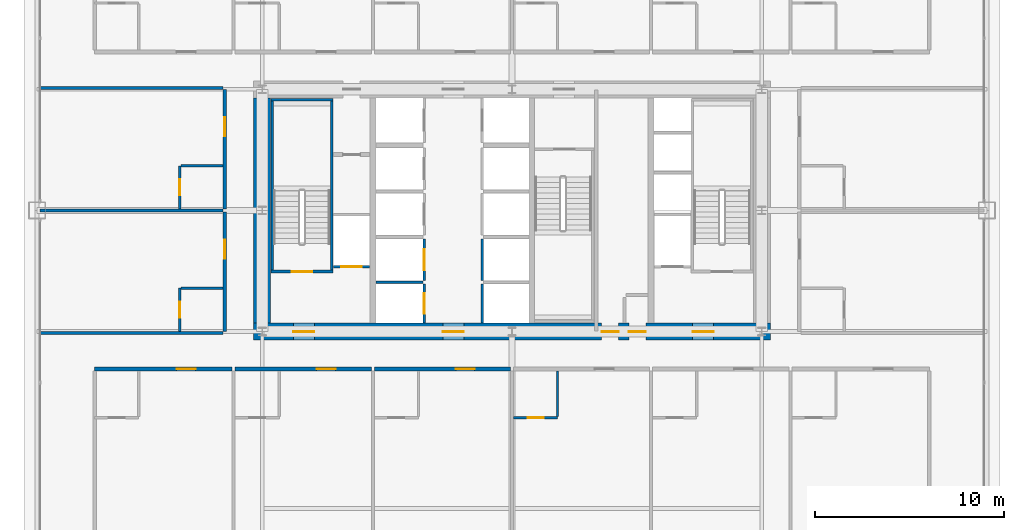
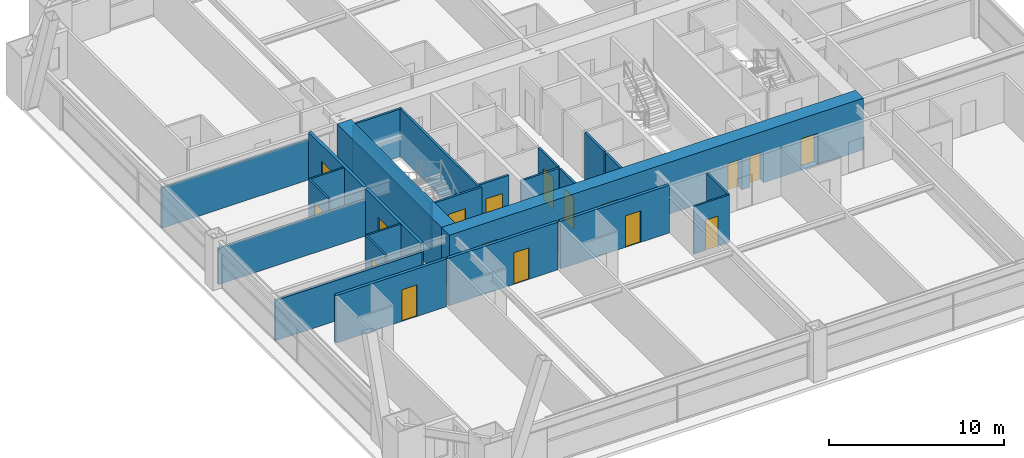
# One storey, part 39 of 43: 26 walls, 17 doors, 17 openings.
"""IFC4 building model written with IfcOpenShell, lengths in metres."""

from ifc_helpers import new_model, si_unit, direction, frame, frame_2d, origin, place, context, subcontext, project, spatial, rectangle, extrude, source, transform, mapped, material, layer, layer_set, type_object, element, fill, save


model = new_model("IFC4")

# Units and contexts
model_context = context("Model", 3, precision=1e-05, world=origin(), true_north=direction((0.0, 1.0)))
body_context = subcontext(model_context, "Body", "Model", "MODEL_VIEW")
ifc_project = project(units=[si_unit("LENGTHUNIT", "METRE"), si_unit("AREAUNIT", "SQUARE_METRE"), si_unit("VOLUMEUNIT", "CUBIC_METRE"), si_unit("PLANEANGLEUNIT", "RADIAN"), si_unit("MASSUNIT", "GRAM", prefix="KILO"), si_unit("THERMODYNAMICTEMPERATUREUNIT", "KELVIN"), si_unit("POWERUNIT", "WATT")], contexts=[model_context])

# Site, building, storey
site_placement = place(None, origin())
site = spatial("IfcSite", under=ifc_project, at=site_placement, CompositionType="ELEMENT")
building_placement = place(site_placement, origin())
building = spatial("IfcBuilding", under=site, at=building_placement, Name="Yuzanri Waterfront Tower", CompositionType="ELEMENT")
storey_placement = place(building_placement, frame((0.0, 0.0, 37.800048828125)))
storey = spatial("IfcBuildingStorey", under=building, at=storey_placement, Name="L09", CompositionType="ELEMENT", Elevation=37.800048828125)

# Wall, opening, door
ifc_material_1 = material(Name="Moisture-Resistant Gypsum Stud Wall", Category="gypsum")
ifc_layer_1 = layer(ifc_material_1, 0.1201171875)
ifc_layer_set_1 = layer_set([ifc_layer_1], Name="Moisture-Resistant Gypsum Stud Wall")
wall_type_1 = type_object("IfcWallType", Name="Bathroom and Kitchen Wet Partition 120", PredefinedType="PARTITIONING", material=ifc_layer_set_1)
wall_1_placement = place(storey_placement, frame((37.080078125, 14.840087890625, 0.0), z_axis=(0.0, 0.0, 1.0), x_axis=(1.0, 0.0, 0.0)))
wall_1 = element("IfcWall", 1, at=wall_1_placement, inside=storey, type_object=wall_type_1, Name="L09 Partition UW-L09-S4-BS", PredefinedType="PARTITIONING", context=body_context, shape_type="SweptSolid", body=[
    extrude(rectangle(XDim=2.329833984375, YDim=0.1201171875, at=frame_2d((1.1650390625, 0.0))), origin(), (0.0, 0.0, 1.0), 3.320068359375),
])
opening_1_placement = place(wall_1_placement, frame((0.739990234375, 0.0, 0.0)))
opening_1 = element("IfcOpeningElement", 2, at=opening_1_placement, cuts=wall_1, Name="Opening ID-0850", PredefinedType="OPENING", context=body_context, shape_type="SweptSolid", body=[
    extrude(rectangle(XDim=0.85009765625, YDim=2.10009765625, at=frame_2d((0.425048828125, 1.050048828125))), frame((0.0, 0.074951171875, 0.0), z_axis=(0.0, -1.0, 0.0), x_axis=(1.0, 0.0, 0.0)), (0.0, 0.0, 1.0), 0.14990234375),
])
ifc_material_2 = material(Name="Moisture-Resistant Lacquered Timber", Category="wood")
door_type_1 = type_object("IfcDoorType", Name="En-Suite Bathroom and Kitchen Swing Door 850x2100", OperationType="NOTDEFINED", PredefinedType="DOOR", material=ifc_material_2)
shared_shape_1 = source(origin(), body_context, "Body", "SweptSolid", [
    extrude(rectangle(XDim=0.85009765625, YDim=2.10009765625, at=frame_2d((0.425048828125, 1.050048828125))), frame((0.0, 0.02490234375, 0.0), z_axis=(0.0, -1.0, 0.0), x_axis=(1.0, 0.0, 0.0)), (0.0, 0.0, 1.0), 0.050048828125),
])
door_1_placement = place(opening_1_placement, origin())
door_1 = element("IfcDoor", 3, at=door_1_placement, inside=storey, type_object=door_type_1, Name="L09 Guest En-Suite Door", OperationType="SINGLE_SWING_LEFT", OverallHeight=2.10009765625, OverallWidth=0.85009765625, PredefinedType="DOOR", context=body_context, shape_type="MappedRepresentation", body=[
    mapped(shared_shape_1, transform((0.0, 0.0, 0.0), scale=1.0)),
])
fill(opening_1, door_1)

wall_2_placement = place(storey_placement, frame((19.43994140625, 19.409912109375, 0.0), z_axis=(0.0, 0.0, 1.0), x_axis=(0.0, 1.0, 0.0)))
wall_2 = element("IfcWall", 4, at=wall_2_placement, inside=storey, type_object=wall_type_1, Name="L09 Partition UW-L09-W1-BW", PredefinedType="PARTITIONING", context=body_context, shape_type="SweptSolid", body=[
    extrude(rectangle(XDim=2.280029296875, YDim=0.1201171875, at=frame_2d((1.14013671875, 0.0))), origin(), (0.0, 0.0, 1.0), 3.320068359375),
])
opening_2_placement = place(wall_2_placement, frame((0.715087890625, 0.0, 0.0)))
opening_2 = element("IfcOpeningElement", 5, at=opening_2_placement, cuts=wall_2, Name="Opening ID-0850", PredefinedType="OPENING", context=body_context, shape_type="SweptSolid", body=[
    extrude(rectangle(XDim=0.85009765625, YDim=2.10009765625, at=frame_2d((0.425048828125, 1.050048828125))), frame((0.0, 0.074951171875, 0.0), z_axis=(0.0, -1.0, 0.0), x_axis=(1.0, 0.0, 0.0)), (0.0, 0.0, 1.0), 0.14990234375),
])
door_2_placement = place(opening_2_placement, origin())
door_2 = element("IfcDoor", 6, at=door_2_placement, inside=storey, type_object=door_type_1, Name="L09 Guest En-Suite Door", OperationType="SINGLE_SWING_LEFT", OverallHeight=2.10009765625, OverallWidth=0.85009765625, PredefinedType="DOOR", context=body_context, shape_type="MappedRepresentation", body=[
    mapped(shared_shape_1, transform((0.0, 0.0, 0.0), scale=1.0)),
])
fill(opening_2, door_2)

wall_3_placement = place(storey_placement, frame((19.43994140625, 25.8798828125, 0.0), z_axis=(0.0, 0.0, 1.0), x_axis=(0.0, 1.0, 0.0)))
wall_3 = element("IfcWall", 7, at=wall_3_placement, inside=storey, type_object=wall_type_1, Name="L09 Partition UW-L09-W2-BW", PredefinedType="PARTITIONING", context=body_context, shape_type="SweptSolid", body=[
    extrude(rectangle(XDim=2.280029296875, YDim=0.1201171875, at=frame_2d((1.14013671875, 0.0))), origin(), (0.0, 0.0, 1.0), 3.320068359375),
])
opening_3_placement = place(wall_3_placement, frame((0.715087890625, 0.0, 0.0)))
opening_3 = element("IfcOpeningElement", 8, at=opening_3_placement, cuts=wall_3, Name="Opening ID-0850", PredefinedType="OPENING", context=body_context, shape_type="SweptSolid", body=[
    extrude(rectangle(XDim=0.85009765625, YDim=2.10009765625, at=frame_2d((0.425048828125, 1.050048828125))), frame((0.0, 0.074951171875, 0.0), z_axis=(0.0, -1.0, 0.0), x_axis=(1.0, 0.0, 0.0)), (0.0, 0.0, 1.0), 0.14990234375),
])
door_3_placement = place(opening_3_placement, origin())
door_3 = element("IfcDoor", 9, at=door_3_placement, inside=storey, type_object=door_type_1, Name="L09 Guest En-Suite Door", OperationType="SINGLE_SWING_LEFT", OverallHeight=2.10009765625, OverallWidth=0.85009765625, PredefinedType="DOOR", context=body_context, shape_type="MappedRepresentation", body=[
    mapped(shared_shape_1, transform((0.0, 0.0, 0.0), scale=1.0)),
])
fill(opening_3, door_3)

# Wall, openings, doors
ifc_material_3 = material(Name="Concrete C60", Category="concrete")
ifc_layer_2 = layer(ifc_material_3, 0.89990234375)
ifc_layer_set_2 = layer_set([ifc_layer_2], Name="Concrete C60")
wall_type_2 = type_object("IfcWallType", Name="Concrete C60 Lower Zone Core Shear Wall 900", PredefinedType="SHEAR", material=ifc_layer_set_2)
wall_4_placement = place(storey_placement, frame((23.35009765625, 19.39990234375, 0.0), z_axis=(0.0, 0.0, 1.0), x_axis=(1.0, 0.0, 0.0)))
wall_4 = element("IfcWall", 10, at=wall_4_placement, inside=storey, type_object=wall_type_2, Name="L09 Core South Shear Wall", PredefinedType="SHEAR", context=body_context, shape_type="SweptSolid", body=[
    extrude(rectangle(XDim=27.2998046875, YDim=0.89990234375, at=frame_2d((13.64990234375, 0.0))), origin(), (0.0, 0.0, 1.0), 3.599853515625),
])
opening_4_placement = place(wall_4_placement, frame((2.10009765625, 0.0, 0.0)))
opening_4 = element("IfcOpeningElement", 11, at=opening_4_placement, cuts=wall_4, Name="Opening FD-1100", PredefinedType="OPENING", context=body_context, shape_type="SweptSolid", body=[
    extrude(rectangle(XDim=1.10009765625, YDim=2.199951171875, at=frame_2d((0.550048828125, 1.10009765625))), frame((0.0, 0.46484375, 0.0), z_axis=(0.0, -1.0, 0.0), x_axis=(1.0, 0.0, 0.0)), (0.0, 0.0, 1.0), 0.9296875),
])
opening_5_placement = place(wall_4_placement, frame((10.0, 0.0, 0.0)))
opening_5 = element("IfcOpeningElement", 12, at=opening_5_placement, cuts=wall_4, Name="Opening FD-1100", PredefinedType="OPENING", context=body_context, shape_type="SweptSolid", body=[
    extrude(rectangle(XDim=1.10009765625, YDim=2.199951171875, at=frame_2d((0.550048828125, 1.10009765625))), frame((0.0, 0.46484375, 0.0), z_axis=(0.0, -1.0, 0.0), x_axis=(1.0, 0.0, 0.0)), (0.0, 0.0, 1.0), 0.9296875),
])
opening_6_placement = place(wall_4_placement, frame((23.199951171875, 0.0, 0.0)))
opening_6 = element("IfcOpeningElement", 13, at=opening_6_placement, cuts=wall_4, Name="Opening FD-1100", PredefinedType="OPENING", context=body_context, shape_type="SweptSolid", body=[
    extrude(rectangle(XDim=1.10009765625, YDim=2.199951171875, at=frame_2d((0.550048828125, 1.10009765625))), frame((0.0, 0.46484375, 0.0), z_axis=(0.0, -1.0, 0.0), x_axis=(1.0, 0.0, 0.0)), (0.0, 0.0, 1.0), 0.9296875),
])
opening_7_placement = place(wall_4_placement, frame((19.820068359375, 0.0, 0.0)))
opening_7 = element("IfcOpeningElement", 14, at=opening_7_placement, cuts=wall_4, Name="Opening FD-0900", PredefinedType="OPENING", context=body_context, shape_type="SweptSolid", body=[
    extrude(rectangle(XDim=0.89990234375, YDim=2.14990234375, at=frame_2d((0.449951171875, 1.074951171875))), frame((0.0, 0.46484375, 0.0), z_axis=(0.0, -1.0, 0.0), x_axis=(1.0, 0.0, 0.0)), (0.0, 0.0, 1.0), 0.9296875),
])
opening_8_placement = place(wall_4_placement, frame((18.3798828125, 0.0, 0.0)))
opening_8 = element("IfcOpeningElement", 15, at=opening_8_placement, cuts=wall_4, Name="Opening FD-0900", PredefinedType="OPENING", context=body_context, shape_type="SweptSolid", body=[
    extrude(rectangle(XDim=0.89990234375, YDim=2.14990234375, at=frame_2d((0.449951171875, 1.074951171875))), frame((0.0, 0.46484375, 0.0), z_axis=(0.0, -1.0, 0.0), x_axis=(1.0, 0.0, 0.0)), (0.0, 0.0, 1.0), 0.9296875),
])
ifc_material_4 = material(Name="Painted Galvanized Fire Steel", Category="steel")
door_type_2 = type_object("IfcDoorType", Name="Smoke-Proof Stair and Lobby Fire Door 1100x2200", OperationType="NOTDEFINED", PredefinedType="DOOR", material=ifc_material_4)
shared_shape_2 = source(origin(), body_context, "Body", "SweptSolid", [
    extrude(rectangle(XDim=1.10009765625, YDim=2.199951171875, at=frame_2d((0.550048828125, 1.10009765625))), frame((0.0, 0.02490234375, 0.0), z_axis=(0.0, -1.0, 0.0), x_axis=(1.0, 0.0, 0.0)), (0.0, 0.0, 1.0), 0.050048828125),
])
door_4_placement = place(opening_4_placement, origin())
door_4 = element("IfcDoor", 16, at=door_4_placement, inside=storey, type_object=door_type_2, Name="L09 West Firefighting Lobby Door", OperationType="SINGLE_SWING_LEFT", OverallHeight=2.199951171875, OverallWidth=1.10009765625, PredefinedType="DOOR", context=body_context, shape_type="MappedRepresentation", body=[
    mapped(shared_shape_2, transform((0.0, 0.0, 0.0), scale=1.0)),
])
fill(opening_4, door_4)
door_5_placement = place(opening_5_placement, origin())
door_5 = element("IfcDoor", 17, at=door_5_placement, inside=storey, type_object=door_type_2, Name="L09 Central Lift Lobby South Door", OperationType="SINGLE_SWING_RIGHT", OverallHeight=2.199951171875, OverallWidth=1.10009765625, PredefinedType="DOOR", context=body_context, shape_type="MappedRepresentation", body=[
    mapped(shared_shape_2, transform((0.0, 0.0, 0.0), scale=1.0)),
])
fill(opening_5, door_5)
door_6_placement = place(opening_6_placement, origin())
door_6 = element("IfcDoor", 18, at=door_6_placement, inside=storey, type_object=door_type_2, Name="L09 East Firefighting Lobby Door", OperationType="SINGLE_SWING_LEFT", OverallHeight=2.199951171875, OverallWidth=1.10009765625, PredefinedType="DOOR", context=body_context, shape_type="MappedRepresentation", body=[
    mapped(shared_shape_2, transform((0.0, 0.0, 0.0), scale=1.0)),
])
fill(opening_6, door_6)
ifc_material_5 = material(Name="Painted Galvanized Fire Steel", Category="steel")
door_type_3 = type_object("IfcDoorType", Name="Riser and Service Room Fire Door 900x2150", OperationType="NOTDEFINED", PredefinedType="DOOR", material=ifc_material_5)
shared_shape_3 = source(origin(), body_context, "Body", "SweptSolid", [
    extrude(rectangle(XDim=0.89990234375, YDim=2.14990234375, at=frame_2d((0.449951171875, 1.074951171875))), frame((0.0, 0.02490234375, 0.0), z_axis=(0.0, -1.0, 0.0), x_axis=(1.0, 0.0, 0.0)), (0.0, 0.0, 1.0), 0.050048828125),
])
door_7_placement = place(opening_7_placement, origin())
door_7 = element("IfcDoor", 19, at=door_7_placement, inside=storey, type_object=door_type_3, Name="L09 East Wet Riser Door", OperationType="SINGLE_SWING_RIGHT", OverallHeight=2.14990234375, OverallWidth=0.89990234375, PredefinedType="DOOR", context=body_context, shape_type="MappedRepresentation", body=[
    mapped(shared_shape_3, transform((0.0, 0.0, 0.0), scale=1.0)),
])
fill(opening_7, door_7)
door_8_placement = place(opening_8_placement, origin())
door_8 = element("IfcDoor", 20, at=door_8_placement, inside=storey, type_object=door_type_3, Name="L09 Housekeeping Room", OperationType="SINGLE_SWING_LEFT", OverallHeight=2.14990234375, OverallWidth=0.89990234375, PredefinedType="DOOR", context=body_context, shape_type="MappedRepresentation", body=[
    mapped(shared_shape_3, transform((0.0, 0.0, 0.0), scale=1.0)),
])
fill(opening_8, door_8)

# Wall, opening, door
ifc_material_6 = material(Name="Concrete C40", Category="concrete")
ifc_layer_3 = layer(ifc_material_6, 0.139892578125)
ifc_layer_set_3 = layer_set([ifc_layer_3], Name="Concrete C40")
wall_type_3 = type_object("IfcWallType", Name="Core Stair Liner and Hoistway Shaft Wall 140", PredefinedType="SOLIDWALL", material=ifc_layer_set_3)
wall_5_placement = place(storey_placement, frame((27.56005859375, 22.830078125, 0.0), z_axis=(0.0, 0.0, 1.0), x_axis=(1.0, 0.0, 0.0)))
wall_5 = element("IfcWall", 21, at=wall_5_placement, inside=storey, type_object=wall_type_3, Name="L09 Lift FL-01 Front Shaft Wall", PredefinedType="SOLIDWALL", context=body_context, shape_type="SweptSolid", body=[
    extrude(rectangle(XDim=1.919921875, YDim=0.139892578125, at=frame_2d((0.9599609375, 0.0))), origin(), (0.0, 0.0, 1.0), 3.320068359375),
])
opening_9_placement = place(wall_5_placement, frame((0.409912109375, 0.0, 0.0)))
opening_9 = element("IfcOpeningElement", 22, at=opening_9_placement, cuts=wall_5, Name="Opening LD-FL-01", PredefinedType="OPENING", context=body_context, shape_type="SweptSolid", body=[
    extrude(rectangle(XDim=1.10009765625, YDim=2.199951171875, at=frame_2d((0.550048828125, 1.10009765625))), frame((0.0, 0.0849609375, 0.0), z_axis=(0.0, -1.0, 0.0), x_axis=(1.0, 0.0, 0.0)), (0.0, 0.0, 1.0), 0.169677734375),
])
ifc_material_7 = material(Name="Brushed Bronze and Stainless Steel Cab", Category="steel")
door_type_4 = type_object("IfcDoorType", Name="Center-Parting Bronze Lift Landing Sliding Door 1100x2200", OperationType="NOTDEFINED", PredefinedType="DOOR", material=ifc_material_7)
shared_shape_4 = source(origin(), body_context, "Body", "SweptSolid", [
    extrude(rectangle(XDim=1.10009765625, YDim=2.199951171875, at=frame_2d((0.550048828125, 1.10009765625))), frame((0.0, 0.02490234375, 0.0), z_axis=(0.0, -1.0, 0.0), x_axis=(1.0, 0.0, 0.0)), (0.0, 0.0, 1.0), 0.050048828125),
])
door_9_placement = place(opening_9_placement, origin())
door_9 = element("IfcDoor", 23, at=door_9_placement, inside=storey, type_object=door_type_4, Name="L09 FL-01 Lift Landing Sliding Door", OperationType="SLIDING_TO_LEFT", OverallHeight=2.199951171875, OverallWidth=1.10009765625, PredefinedType="DOOR", context=body_context, shape_type="MappedRepresentation", body=[
    mapped(shared_shape_4, transform((0.0, 0.0, 0.0), scale=1.0)),
])
fill(opening_9, door_9)

wall_6_placement = place(storey_placement, frame((32.3701171875, 19.860107421875, 0.0), z_axis=(0.0, 0.0, 1.0), x_axis=(0.0, 1.0, 0.0)))
wall_6 = element("IfcWall", 24, at=wall_6_placement, inside=storey, type_object=wall_type_3, Name="L09 Lift PL-01 Front Shaft Wall", PredefinedType="SOLIDWALL", context=body_context, shape_type="SweptSolid", body=[
    extrude(rectangle(XDim=2.039794921875, YDim=0.139892578125, at=frame_2d((1.02001953125, 0.0))), origin(), (0.0, 0.0, 1.0), 3.320068359375),
])
opening_10_placement = place(wall_6_placement, frame((0.469970703125, 0.0, 0.0)))
opening_10 = element("IfcOpeningElement", 25, at=opening_10_placement, cuts=wall_6, Name="Opening LD-PL-01", PredefinedType="OPENING", context=body_context, shape_type="SweptSolid", body=[
    extrude(rectangle(XDim=1.10009765625, YDim=2.199951171875, at=frame_2d((0.550048828125, 1.10009765625))), frame((0.0, 0.0849609375, 0.0), z_axis=(0.0, -1.0, 0.0), x_axis=(1.0, 0.0, 0.0)), (0.0, 0.0, 1.0), 0.169677734375),
])
door_10_placement = place(opening_10_placement, origin())
door_10 = element("IfcDoor", 26, at=door_10_placement, inside=storey, type_object=door_type_4, Name="L09 PL-01 Lift Landing Sliding Door", OperationType="SLIDING_TO_LEFT", OverallHeight=2.199951171875, OverallWidth=1.10009765625, PredefinedType="DOOR", context=body_context, shape_type="MappedRepresentation", body=[
    mapped(shared_shape_4, transform((0.0, 0.0, 0.0), scale=1.0)),
])
fill(opening_10, door_10)

wall_7_placement = place(storey_placement, frame((32.3701171875, 22.10009765625, 0.0), z_axis=(0.0, 0.0, 1.0), x_axis=(0.0, 1.0, 0.0)))
wall_7 = element("IfcWall", 27, at=wall_7_placement, inside=storey, type_object=wall_type_3, Name="L09 Lift PL-02 Front Shaft Wall", PredefinedType="SOLIDWALL", context=body_context, shape_type="SweptSolid", body=[
    extrude(rectangle(XDim=2.199951171875, YDim=0.139892578125, at=frame_2d((1.10009765625, 0.0))), origin(), (0.0, 0.0, 1.0), 3.320068359375),
])
opening_11_placement = place(wall_7_placement, frame((0.550048828125, 0.0, 0.0)))
opening_11 = element("IfcOpeningElement", 28, at=opening_11_placement, cuts=wall_7, Name="Opening LD-PL-02", PredefinedType="OPENING", context=body_context, shape_type="SweptSolid", body=[
    extrude(rectangle(XDim=1.10009765625, YDim=2.199951171875, at=frame_2d((0.550048828125, 1.10009765625))), frame((0.0, 0.0849609375, 0.0), z_axis=(0.0, -1.0, 0.0), x_axis=(1.0, 0.0, 0.0)), (0.0, 0.0, 1.0), 0.169677734375),
])
door_11_placement = place(opening_11_placement, origin())
door_11 = element("IfcDoor", 29, at=door_11_placement, inside=storey, type_object=door_type_4, Name="L09 PL-02 Lift Landing Sliding Door", OperationType="SLIDING_TO_RIGHT", OverallHeight=2.199951171875, OverallWidth=1.10009765625, PredefinedType="DOOR", context=body_context, shape_type="MappedRepresentation", body=[
    mapped(shared_shape_4, transform((0.0, 0.0, 0.0), scale=1.0)),
])
fill(opening_11, door_11)

wall_8_placement = place(storey_placement, frame((24.260009765625, 22.570068359375, 0.0), z_axis=(0.0, 0.0, 1.0), x_axis=(1.0, 0.0, 0.0)))
wall_8 = element("IfcWall", 30, at=wall_8_placement, inside=storey, type_object=wall_type_3, Name="L09 Shaft Wall STW-L09-ST-01-S", PredefinedType="SOLIDWALL", context=body_context, shape_type="SweptSolid", body=[
    extrude(rectangle(XDim=3.280029296875, YDim=0.139892578125, at=frame_2d((1.64013671875, 0.0))), origin(), (0.0, 0.0, 1.0), 3.320068359375),
])
opening_12_placement = place(wall_8_placement, frame((1.090087890625, 0.0, 0.0)))
opening_12 = element("IfcOpeningElement", 31, at=opening_12_placement, cuts=wall_8, Name="Opening FD-1100", PredefinedType="OPENING", context=body_context, shape_type="SweptSolid", body=[
    extrude(rectangle(XDim=1.10009765625, YDim=2.199951171875, at=frame_2d((0.550048828125, 1.10009765625))), frame((0.0, 0.0849609375, 0.0), z_axis=(0.0, -1.0, 0.0), x_axis=(1.0, 0.0, 0.0)), (0.0, 0.0, 1.0), 0.169677734375),
])
door_12_placement = place(opening_12_placement, origin())
door_12 = element("IfcDoor", 32, at=door_12_placement, inside=storey, type_object=door_type_2, Name="L09 Stair ST-01 Fire Door", OperationType="SINGLE_SWING_RIGHT", OverallHeight=2.199951171875, OverallWidth=1.10009765625, PredefinedType="DOOR", context=body_context, shape_type="MappedRepresentation", body=[
    mapped(shared_shape_2, transform((0.0, 0.0, 0.0), scale=1.0)),
])
fill(opening_12, door_12)

ifc_material_8 = material(Name="Autoclaved Aerated Concrete Blockwork", Category="masonry")
ifc_layer_4 = layer(ifc_material_8, 0.199951171875)
ifc_layer_set_4 = layer_set([ifc_layer_4], Name="Autoclaved Aerated Concrete Blockwork")
wall_type_4 = type_object("IfcWallType", Name="Corridor and Unit Party Fire Wall 200", PredefinedType="PARTITIONING", material=ifc_layer_set_4)
wall_9_placement = place(storey_placement, frame((14.93994140625, 17.419921875, 0.0), z_axis=(0.0, 0.0, 1.0), x_axis=(1.0, 0.0, 0.0)))
wall_9 = element("IfcWall", 33, at=wall_9_placement, inside=storey, type_object=wall_type_4, Name="L09 Partition UW-L09-S1-CN", PredefinedType="PARTITIONING", context=body_context, shape_type="SweptSolid", body=[
    extrude(rectangle(XDim=7.27294921875, YDim=0.199951171875, at=frame_2d((3.636474609375, 0.0))), origin(), (0.0, 0.0, 1.0), 3.320068359375),
])
opening_13_placement = place(wall_9_placement, frame((4.342041015625, 0.0, 0.0)))
opening_13 = element("IfcOpeningElement", 34, at=opening_13_placement, cuts=wall_9, Name="Opening FD-1000", PredefinedType="OPENING", context=body_context, shape_type="SweptSolid", body=[
    extrude(rectangle(XDim=1.0, YDim=2.199951171875, at=frame_2d((0.5, 1.10009765625))), frame((0.0, 0.11474609375, 0.0), z_axis=(0.0, -1.0, 0.0), x_axis=(1.0, 0.0, 0.0)), (0.0, 0.0, 1.0), 0.229736328125),
])
ifc_material_9 = material(Name="Engineered Oak Fire-Rated Timber", Category="wood")
door_type_5 = type_object("IfcDoorType", Name="Guestroom and Apartment Entrance Fire Door 1000x2200", OperationType="NOTDEFINED", PredefinedType="DOOR", material=ifc_material_9)
shared_shape_5 = source(origin(), body_context, "Body", "SweptSolid", [
    extrude(rectangle(XDim=1.0, YDim=2.199951171875, at=frame_2d((0.5, 1.10009765625))), frame((0.0, 0.02490234375, 0.0), z_axis=(0.0, -1.0, 0.0), x_axis=(1.0, 0.0, 0.0)), (0.0, 0.0, 1.0), 0.050048828125),
])
door_13_placement = place(opening_13_placement, origin())
door_13 = element("IfcDoor", 35, at=door_13_placement, inside=storey, type_object=door_type_5, Name="L09 Premier King Junior Suite Entrance Door", OperationType="SINGLE_SWING_RIGHT", OverallHeight=2.199951171875, OverallWidth=1.0, PredefinedType="DOOR", context=body_context, shape_type="MappedRepresentation", body=[
    mapped(shared_shape_5, transform((0.0, 0.0, 0.0), scale=1.0)),
])
fill(opening_13, door_13)

wall_10_placement = place(storey_placement, frame((22.373046875, 17.419921875, 0.0), z_axis=(0.0, 0.0, 1.0), x_axis=(1.0, 0.0, 0.0)))
wall_10 = element("IfcWall", 36, at=wall_10_placement, inside=storey, type_object=wall_type_4, Name="L09 Partition UW-L09-S2-CN", PredefinedType="PARTITIONING", context=body_context, shape_type="SweptSolid", body=[
    extrude(rectangle(XDim=7.19384765625, YDim=0.199951171875, at=frame_2d((3.596923828125, 0.0))), origin(), (0.0, 0.0, 1.0), 3.320068359375),
])
opening_14_placement = place(wall_10_placement, frame((4.302001953125, 0.0, 0.0)))
opening_14 = element("IfcOpeningElement", 37, at=opening_14_placement, cuts=wall_10, Name="Opening FD-1000", PredefinedType="OPENING", context=body_context, shape_type="SweptSolid", body=[
    extrude(rectangle(XDim=1.0, YDim=2.199951171875, at=frame_2d((0.5, 1.10009765625))), frame((0.0, 0.11474609375, 0.0), z_axis=(0.0, -1.0, 0.0), x_axis=(1.0, 0.0, 0.0)), (0.0, 0.0, 1.0), 0.229736328125),
])
door_14_placement = place(opening_14_placement, origin())
door_14 = element("IfcDoor", 38, at=door_14_placement, inside=storey, type_object=door_type_5, Name="L09 Premier King Junior Suite Entrance Door", OperationType="SINGLE_SWING_RIGHT", OverallHeight=2.199951171875, OverallWidth=1.0, PredefinedType="DOOR", context=body_context, shape_type="MappedRepresentation", body=[
    mapped(shared_shape_5, transform((0.0, 0.0, 0.0), scale=1.0)),
])
fill(opening_14, door_14)

wall_11_placement = place(storey_placement, frame((29.72705078125, 17.419921875, 0.0), z_axis=(0.0, 0.0, 1.0), x_axis=(1.0, 0.0, 0.0)))
wall_11 = element("IfcWall", 39, at=wall_11_placement, inside=storey, type_object=wall_type_4, Name="L09 Partition UW-L09-S3-CN", PredefinedType="PARTITIONING", context=body_context, shape_type="SweptSolid", body=[
    extrude(rectangle(XDim=7.19287109375, YDim=0.199951171875, at=frame_2d((3.596435546875, 0.0))), origin(), (0.0, 0.0, 1.0), 3.320068359375),
])
opening_15_placement = place(wall_11_placement, frame((4.302001953125, 0.0, 0.0)))
opening_15 = element("IfcOpeningElement", 40, at=opening_15_placement, cuts=wall_11, Name="Opening FD-1000", PredefinedType="OPENING", context=body_context, shape_type="SweptSolid", body=[
    extrude(rectangle(XDim=1.0, YDim=2.199951171875, at=frame_2d((0.5, 1.10009765625))), frame((0.0, 0.11474609375, 0.0), z_axis=(0.0, -1.0, 0.0), x_axis=(1.0, 0.0, 0.0)), (0.0, 0.0, 1.0), 0.229736328125),
])
door_15_placement = place(opening_15_placement, origin())
door_15 = element("IfcDoor", 41, at=door_15_placement, inside=storey, type_object=door_type_5, Name="L09 Premier King Junior Suite Entrance Door", OperationType="SINGLE_SWING_RIGHT", OverallHeight=2.199951171875, OverallWidth=1.0, PredefinedType="DOOR", context=body_context, shape_type="MappedRepresentation", body=[
    mapped(shared_shape_5, transform((0.0, 0.0, 0.0), scale=1.0)),
])
fill(opening_15, door_15)

wall_12_placement = place(storey_placement, frame((21.820068359375, 19.409912109375, 0.0), z_axis=(0.0, 0.0, 1.0), x_axis=(0.0, 1.0, 0.0)))
wall_12 = element("IfcWall", 42, at=wall_12_placement, inside=storey, type_object=wall_type_4, Name="L09 Partition UW-L09-W1-CW", PredefinedType="PARTITIONING", context=body_context, shape_type="SweptSolid", body=[
    extrude(rectangle(XDim=6.31005859375, YDim=0.199951171875, at=frame_2d((3.155029296875, 0.0))), origin(), (0.0, 0.0, 1.0), 3.320068359375),
])
opening_16_placement = place(wall_12_placement, frame((3.8349609375, 0.0, 0.0)))
opening_16 = element("IfcOpeningElement", 43, at=opening_16_placement, cuts=wall_12, Name="Opening FD-1000", PredefinedType="OPENING", context=body_context, shape_type="SweptSolid", body=[
    extrude(rectangle(XDim=1.0, YDim=2.199951171875, at=frame_2d((0.5, 1.10009765625))), frame((0.0, 0.11474609375, 0.0), z_axis=(0.0, -1.0, 0.0), x_axis=(1.0, 0.0, 0.0)), (0.0, 0.0, 1.0), 0.229736328125),
])
door_16_placement = place(opening_16_placement, origin())
door_16 = element("IfcDoor", 44, at=door_16_placement, inside=storey, type_object=door_type_5, Name="L09 West Guest Room Entrance Door", OperationType="SINGLE_SWING_RIGHT", OverallHeight=2.199951171875, OverallWidth=1.0, PredefinedType="DOOR", context=body_context, shape_type="MappedRepresentation", body=[
    mapped(shared_shape_5, transform((0.0, 0.0, 0.0), scale=1.0)),
])
fill(opening_16, door_16)

wall_13_placement = place(storey_placement, frame((21.820068359375, 25.8798828125, 0.0), z_axis=(0.0, 0.0, 1.0), x_axis=(0.0, 1.0, 0.0)))
wall_13 = element("IfcWall", 45, at=wall_13_placement, inside=storey, type_object=wall_type_4, Name="L09 Partition UW-L09-W2-CW", PredefinedType="PARTITIONING", context=body_context, shape_type="SweptSolid", body=[
    extrude(rectangle(XDim=6.31005859375, YDim=0.199951171875, at=frame_2d((3.155029296875, 0.0))), origin(), (0.0, 0.0, 1.0), 3.320068359375),
])
opening_17_placement = place(wall_13_placement, frame((3.8349609375, 0.0, 0.0)))
opening_17 = element("IfcOpeningElement", 46, at=opening_17_placement, cuts=wall_13, Name="Opening FD-1000", PredefinedType="OPENING", context=body_context, shape_type="SweptSolid", body=[
    extrude(rectangle(XDim=1.0, YDim=2.199951171875, at=frame_2d((0.5, 1.10009765625))), frame((0.0, 0.11474609375, 0.0), z_axis=(0.0, -1.0, 0.0), x_axis=(1.0, 0.0, 0.0)), (0.0, 0.0, 1.0), 0.229736328125),
])
door_17_placement = place(opening_17_placement, origin())
door_17 = element("IfcDoor", 47, at=door_17_placement, inside=storey, type_object=door_type_5, Name="L09 West Guest Room Entrance Door", OperationType="SINGLE_SWING_RIGHT", OverallHeight=2.199951171875, OverallWidth=1.0, PredefinedType="DOOR", context=body_context, shape_type="MappedRepresentation", body=[
    mapped(shared_shape_5, transform((0.0, 0.0, 0.0), scale=1.0)),
])
fill(opening_17, door_17)

# Walls
shared_shape_6 = source(origin(), body_context, "Body", "SweptSolid", [
    extrude(rectangle(XDim=11.89990234375, YDim=0.89990234375, at=frame_2d((5.949951171875, 0.0))), origin(), (0.0, 0.0, 1.0), 3.599853515625),
])
wall_14_placement = place(storey_placement, frame((23.800048828125, 19.85009765625, 0.0), z_axis=(0.0, 0.0, 1.0), x_axis=(0.0, 1.0, 0.0)))
element("IfcWall", 48, at=wall_14_placement, inside=storey, type_object=wall_type_2, Name="L09 Core West Shear Wall", PredefinedType="SHEAR", context=body_context, shape_type="MappedRepresentation", body=[
    mapped(shared_shape_6, transform((0.0, 0.0, 0.0), scale=1.0)),
])
shared_shape_7 = source(origin(), body_context, "Body", "SweptSolid", [
    extrude(rectangle(XDim=2.5, YDim=0.139892578125, at=frame_2d((1.25, 0.0))), origin(), (0.0, 0.0, 1.0), 3.320068359375),
])
wall_15_placement = place(storey_placement, frame((29.800048828125, 22.0, 0.0), z_axis=(0.0, 0.0, 1.0), x_axis=(1.0, 0.0, 0.0)))
element("IfcWall", 49, at=wall_15_placement, inside=storey, type_object=wall_type_3, Name="L09 Lift PL-01 Divider Wall", PredefinedType="SOLIDWALL", context=body_context, shape_type="MappedRepresentation", body=[
    mapped(shared_shape_7, transform((0.0, 0.0, 0.0), scale=1.0)),
])
shared_shape_8 = source(origin(), body_context, "Body", "SweptSolid", [
    extrude(rectangle(XDim=2.039794921875, YDim=0.139892578125, at=frame_2d((1.02001953125, 0.0))), origin(), (0.0, 0.0, 1.0), 3.320068359375),
])
wall_16_placement = place(storey_placement, frame((35.429931640625, 19.860107421875, 0.0), z_axis=(0.0, 0.0, 1.0), x_axis=(0.0, 1.0, 0.0)))
element("IfcWall", 50, at=wall_16_placement, inside=storey, type_object=wall_type_3, Name="L09 Lift PL-05 Front Shaft Wall", PredefinedType="SOLIDWALL", context=body_context, shape_type="MappedRepresentation", body=[
    mapped(shared_shape_8, transform((0.0, 0.0, 0.0), scale=1.0)),
])
shared_shape_9 = source(origin(), body_context, "Body", "SweptSolid", [
    extrude(rectangle(XDim=2.199951171875, YDim=0.139892578125, at=frame_2d((1.10009765625, 0.0))), origin(), (0.0, 0.0, 1.0), 3.320068359375),
])
wall_17_placement = place(storey_placement, frame((35.429931640625, 22.10009765625, 0.0), z_axis=(0.0, 0.0, 1.0), x_axis=(0.0, 1.0, 0.0)))
element("IfcWall", 51, at=wall_17_placement, inside=storey, type_object=wall_type_3, Name="L09 Lift PL-06 Front Shaft Wall", PredefinedType="SOLIDWALL", context=body_context, shape_type="MappedRepresentation", body=[
    mapped(shared_shape_9, transform((0.0, 0.0, 0.0), scale=1.0)),
])
shared_shape_10 = source(origin(), body_context, "Body", "SweptSolid", [
    extrude(rectangle(XDim=3.280029296875, YDim=0.139892578125, at=frame_2d((1.64013671875, 0.0))), origin(), (0.0, 0.0, 1.0), 3.320068359375),
])
wall_18_placement = place(storey_placement, frame((24.260009765625, 31.64990234375, 0.0), z_axis=(0.0, 0.0, 1.0), x_axis=(1.0, 0.0, 0.0)))
element("IfcWall", 52, at=wall_18_placement, inside=storey, type_object=wall_type_3, Name="L09 Stair ST-01 North Shaft Wall", PredefinedType="SOLIDWALL", context=body_context, shape_type="MappedRepresentation", body=[
    mapped(shared_shape_10, transform((0.0, 0.0, 0.0), scale=1.0)),
])
shared_shape_11 = source(origin(), body_context, "Body", "SweptSolid", [
    extrude(rectangle(XDim=8.940185546875, YDim=0.139892578125, at=frame_2d((4.47021484375, 0.0))), origin(), (0.0, 0.0, 1.0), 3.320068359375),
])
for number, where, z_axis, x_axis, name in (
    (53, (24.330078125, 22.639892578125, 0.0), (0.0, 0.0, 1.0), (0.0, 1.0, 0.0), "L09 Stair ST-01 West Shaft Wall"),
    (54, (27.469970703125, 22.639892578125, 0.0), (0.0, 0.0, 1.0), (0.0, 1.0, 0.0), "L09 Stair ST-01 East Shaft Wall"),
):
    element("IfcWall", number, at=place(storey_placement, frame(where, z_axis=z_axis, x_axis=x_axis)), inside=storey, type_object=wall_type_3, Name=name, PredefinedType="SOLIDWALL", context=body_context, shape_type="MappedRepresentation", body=[
        mapped(shared_shape_11, transform((0.0, 0.0, 0.0), scale=1.0)),
    ])
shared_shape_12 = source(origin(), body_context, "Body", "SweptSolid", [
    extrude(rectangle(XDim=2.420166015625, YDim=0.1201171875, at=frame_2d((1.2099609375, 0.0))), origin(), (0.0, 0.0, 1.0), 3.320068359375),
])
wall_19_placement = place(storey_placement, frame((39.409912109375, 14.89990234375, 0.0), z_axis=(0.0, 0.0, 1.0), x_axis=(0.0, 1.0, 0.0)))
element("IfcWall", 55, at=wall_19_placement, inside=storey, type_object=wall_type_1, Name="L09-S4 En-Suite Side Wall", PredefinedType="PARTITIONING", context=body_context, shape_type="MappedRepresentation", body=[
    mapped(shared_shape_12, transform((0.0, 0.0, 0.0), scale=1.0)),
])
ifc_material_10 = material(Name="Gypsum Fireboard Acoustic Stud Wall", Category="gypsum")
ifc_layer_5 = layer(ifc_material_10, 0.159912109375)
ifc_layer_set_5 = layer_set([ifc_layer_5], Name="Gypsum Fireboard Acoustic Stud Wall")
wall_type_5 = type_object("IfcWallType", Name="Acoustic Suite Demising Partition 160", PredefinedType="PARTITIONING", material=ifc_layer_set_5)
shared_shape_13 = source(origin(), body_context, "Body", "SweptSolid", [
    extrude(rectangle(XDim=9.669921875, YDim=0.159912109375, at=frame_2d((4.8349609375, 0.0))), origin(), (0.0, 0.0, 1.0), 2.514892578125),
])
wall_20_placement = place(storey_placement, frame((12.050048828125, 25.800048828125, 0.0), z_axis=(0.0, 0.0, 1.0), x_axis=(1.0, 0.0, 0.0)))
element("IfcWall", 56, at=wall_20_placement, inside=storey, type_object=wall_type_5, Name="L09-W1 Wing Party Wall", PredefinedType="PARTITIONING", context=body_context, shape_type="MappedRepresentation", body=[
    mapped(shared_shape_13, transform((0.0, 0.0, 0.0), scale=1.0)),
])
shared_shape_14 = source(origin(), body_context, "Body", "SweptSolid", [
    extrude(rectangle(XDim=9.669921875, YDim=0.159912109375, at=frame_2d((4.8349609375, 0.0))), origin(), (0.0, 0.0, 1.0), 2.81494140625),
])
for number, where, z_axis, x_axis, name in (
    (57, (12.050048828125, 19.330078125, 0.0), (0.0, 0.0, 1.0), (1.0, 0.0, 0.0), "L09-W1 Wing South End Wall"),
    (58, (12.050048828125, 32.27001953125, 0.0), (0.0, 0.0, 1.0), (1.0, 0.0, 0.0), "L09-W2 Wing North End Wall"),
):
    element("IfcWall", number, at=place(storey_placement, frame(where, z_axis=z_axis, x_axis=x_axis)), inside=storey, type_object=wall_type_5, Name=name, PredefinedType="PARTITIONING", context=body_context, shape_type="MappedRepresentation", body=[
        mapped(shared_shape_14, transform((0.0, 0.0, 0.0), scale=1.0)),
    ])
shared_shape_15 = source(origin(), body_context, "Body", "SweptSolid", [
    extrude(rectangle(XDim=2.219970703125, YDim=0.1201171875, at=frame_2d((1.10986328125, 0.0))), origin(), (0.0, 0.0, 1.0), 3.320068359375),
])
for number, where, z_axis, x_axis, name in (
    (59, (19.5, 21.68994140625, 0.0), (0.0, 0.0, 1.0), (1.0, 0.0, 0.0), "L09-W1 En-Suite Top Wall"),
    (60, (19.5, 28.159912109375, 0.0), (0.0, 0.0, 1.0), (1.0, 0.0, 0.0), "L09-W2 En-Suite Top Wall"),
):
    element("IfcWall", number, at=place(storey_placement, frame(where, z_axis=z_axis, x_axis=x_axis)), inside=storey, type_object=wall_type_1, Name=name, PredefinedType="PARTITIONING", context=body_context, shape_type="MappedRepresentation", body=[
        mapped(shared_shape_15, transform((0.0, 0.0, 0.0), scale=1.0)),
    ])

save(model, "model.ifc")
